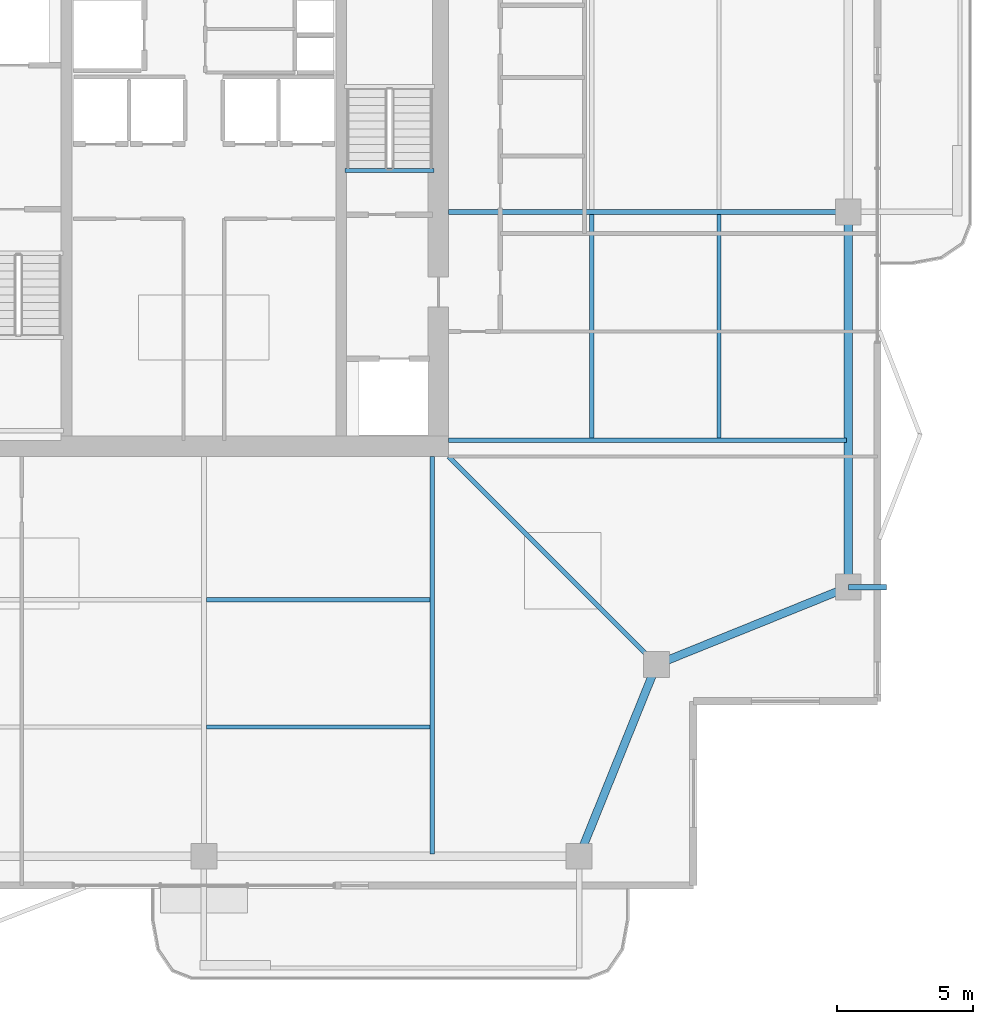
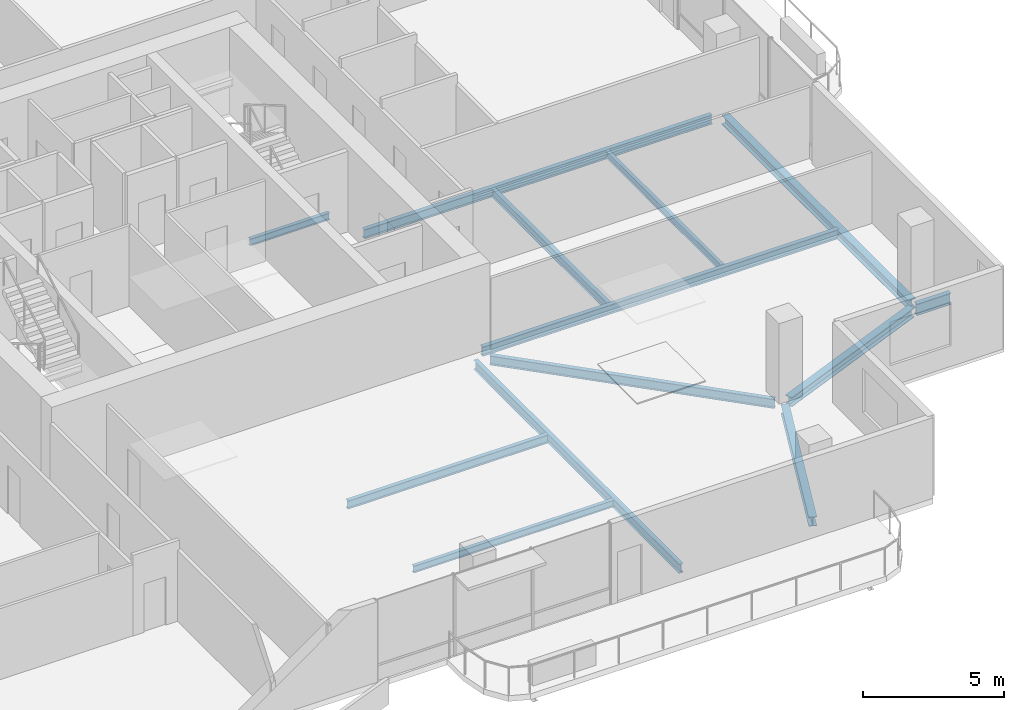
# One storey, part 9 of 25: 13 beams.
"""IFC4 building model written with IfcOpenShell, lengths in metres."""

from ifc_helpers import new_model, si_unit, direction, frame, origin, origin_2d, place, context, subcontext, project, spatial, i_section, extrude, material, material_profile, profile_set, type_object, element, save


model = new_model("IFC4")

# Units and contexts
model_context = context("Model", 3, precision=1e-05, world=origin(), true_north=direction((0.0, 1.0)))
body_context = subcontext(model_context, "Body", "Model", "MODEL_VIEW")
ifc_project = project(units=[si_unit("LENGTHUNIT", "METRE"), si_unit("AREAUNIT", "SQUARE_METRE"), si_unit("VOLUMEUNIT", "CUBIC_METRE"), si_unit("PLANEANGLEUNIT", "RADIAN"), si_unit("MASSUNIT", "GRAM", prefix="KILO")], contexts=[model_context])

# Site, building, storey
site_placement = place(None, origin())
site = spatial("IfcSite", under=ifc_project, at=site_placement, CompositionType="ELEMENT")
building_placement = place(site_placement, origin())
building = spatial("IfcBuilding", under=site, at=building_placement, Name="Belovzor Exchange Tower", CompositionType="ELEMENT")
storey_placement = place(building_placement, frame((0.0, 0.0, 269.10009765625)))
storey = spatial("IfcBuildingStorey", under=building, at=storey_placement, Name="L67", CompositionType="ELEMENT", Elevation=269.10009765625)

# Beams
ifc_material_1 = material(Name="Steel S355", Category="steel")
ifc_material_profile_1 = material_profile(ifc_material_1, i_section(OverallWidth=0.199951171875, OverallDepth=0.5, WebThickness=0.01025390625, FlangeThickness=0.01611328125, at=origin_2d()))
ifc_profile_set_1 = profile_set([ifc_material_profile_1], Name="Steel S355")
beam_type_1 = type_object("IfcBeamType", Name="Planted Balcony Cantilever Beam IPE 500", PredefinedType="BEAM", material=ifc_profile_set_1)
beam_1_placement = place(storey_placement, frame((52.5, 15.0, -0.5), z_axis=(1.0, 0.0, 0.0), x_axis=(0.0, 1.0, 0.0)))
element("IfcBeam", 1, at=beam_1_placement, inside=storey, type_object=beam_type_1, Name="BC-500 Planted Balcony Cantilever Beam IPE 500", PredefinedType="BEAM", context=body_context, shape_type="SweptSolid", body=[
    extrude(i_section(OverallWidth=0.199951171875, OverallDepth=0.5, WebThickness=0.01025390625, FlangeThickness=0.01611328125, at=origin_2d()), origin(), (0.0, 0.0, 1.0), 1.39990234375),
])
ifc_material_2 = material(Name="Steel S355", Category="steel")
ifc_material_profile_2 = material_profile(ifc_material_2, i_section(OverallWidth=0.169921875, OverallDepth=0.360107421875, WebThickness=0.008056640625, FlangeThickness=0.0126953125, at=origin_2d()))
ifc_profile_set_2 = profile_set([ifc_material_profile_2], Name="Steel S355")
beam_type_2 = type_object("IfcBeamType", Name="Secondary Infill Floor Joist IPE 360", PredefinedType="BEAM", material=ifc_profile_set_2)
beam_2_placement = place(storey_placement, frame((28.889892578125, 14.534912109375, -0.43017578125), z_axis=(1.0, 0.0, 0.0), x_axis=(0.0, 1.0, 0.0)))
element("IfcBeam", 2, at=beam_2_placement, inside=storey, type_object=beam_type_2, Name="FJ-360 Secondary Infill Floor Joist IPE 360", PredefinedType="BEAM", context=body_context, shape_type="SweptSolid", body=[
    extrude(i_section(OverallWidth=0.169921875, OverallDepth=0.360107421875, WebThickness=0.008056640625, FlangeThickness=0.0126953125, at=origin_2d()), origin(), (0.0, 0.0, 1.0), 8.22021484375),
])
beam_3_placement = place(storey_placement, frame((43.06494140625, 20.489990234375, -0.43017578125), z_axis=(0.0, 1.0, 0.0), x_axis=(-1.0, 0.0, 0.0)))
element("IfcBeam", 3, at=beam_3_placement, inside=storey, type_object=beam_type_2, Name="FJ-360 Secondary Infill Floor Joist IPE 360", PredefinedType="BEAM", context=body_context, shape_type="SweptSolid", body=[
    extrude(i_section(OverallWidth=0.169921875, OverallDepth=0.360107421875, WebThickness=0.008056640625, FlangeThickness=0.0126953125, at=origin_2d()), origin(), (0.0, 0.0, 1.0), 8.219970703125),
])
ifc_material_3 = material(Name="Steel S355", Category="steel")
ifc_material_profile_3 = material_profile(ifc_material_3, i_section(OverallWidth=0.14990234375, OverallDepth=0.300048828125, WebThickness=0.007080078125, FlangeThickness=0.0107421875, at=origin_2d()))
ifc_profile_set_3 = profile_set([ifc_material_profile_3], Name="Steel S355")
beam_type_3 = type_object("IfcBeamType", Name="Secondary Trim Floor Joist IPE 300", PredefinedType="BEAM", material=ifc_profile_set_3)
beam_4_placement = place(storey_placement, frame((37.260009765625, 30.320068359375, -0.400146484375), z_axis=(-1.0, 0.0, 0.0), x_axis=(0.0, -1.0, 0.0)))
element("IfcBeam", 4, at=beam_4_placement, inside=storey, type_object=beam_type_3, Name="FJ-300 Secondary Trim Floor Joist IPE 300", PredefinedType="BEAM", context=body_context, shape_type="SweptSolid", body=[
    extrude(i_section(OverallWidth=0.14990234375, OverallDepth=0.300048828125, WebThickness=0.007080078125, FlangeThickness=0.0107421875, at=origin_2d()), origin(), (0.0, 0.0, 1.0), 3.27001953125),
])
beam_5_placement = place(storey_placement, frame((28.889892578125, 9.85498046875, -0.400146484375), z_axis=(1.0, 0.0, 0.0), x_axis=(0.0, 1.0, 0.0)))
element("IfcBeam", 5, at=beam_5_placement, inside=storey, type_object=beam_type_3, Name="FJ-300 Secondary Trim Floor Joist IPE 300", PredefinedType="BEAM", context=body_context, shape_type="SweptSolid", body=[
    extrude(i_section(OverallWidth=0.14990234375, OverallDepth=0.300048828125, WebThickness=0.007080078125, FlangeThickness=0.0107421875, at=origin_2d()), origin(), (0.0, 0.0, 1.0), 8.22021484375),
])
beam_6_placement = place(storey_placement, frame((47.7451171875, 20.489990234375, -0.400146484375), z_axis=(0.0, 1.0, 0.0), x_axis=(-1.0, 0.0, 0.0)))
element("IfcBeam", 6, at=beam_6_placement, inside=storey, type_object=beam_type_3, Name="FJ-300 Secondary Trim Floor Joist IPE 300", PredefinedType="BEAM", context=body_context, shape_type="SweptSolid", body=[
    extrude(i_section(OverallWidth=0.14990234375, OverallDepth=0.300048828125, WebThickness=0.007080078125, FlangeThickness=0.0107421875, at=origin_2d()), origin(), (0.0, 0.0, 1.0), 8.219970703125),
])
ifc_material_4 = material(Name="Steel S355", Category="steel")
ifc_material_profile_4 = material_profile(ifc_material_4, i_section(OverallWidth=0.300048828125, OverallDepth=0.39990234375, WebThickness=0.013427734375, FlangeThickness=0.02392578125, at=origin_2d()))
ifc_profile_set_4 = profile_set([ifc_material_profile_4], Name="Steel S355")
beam_type_4 = type_object("IfcBeamType", Name="Zone 5 Primary Girder HEB 400", PredefinedType="BEAM", material=ifc_profile_set_4)
beam_7_placement = place(storey_placement, frame((42.697998046875, 5.342041015625, -0.4501953125), z_axis=(0.374758283536, 0.927122553345, 0.0), x_axis=(-0.927122553345, 0.374758283536, 0.0)))
element("IfcBeam", 7, at=beam_7_placement, inside=storey, type_object=beam_type_4, Name="FG-Z5 Zone 5 Primary Girder HEB 400", PredefinedType="BEAM", context=body_context, shape_type="SweptSolid", body=[
    extrude(i_section(OverallWidth=0.300048828125, OverallDepth=0.39990234375, WebThickness=0.013427734375, FlangeThickness=0.02392578125, at=origin_2d()), origin(), (0.0, 0.0, 1.0), 7.08203125),
])
beam_8_placement = place(storey_placement, frame((45.69189453125, 12.248046875, -0.4501953125), z_axis=(0.927127394661, 0.374746306278, 0.0), x_axis=(-0.374746306278, 0.927127394661, 0.0)))
element("IfcBeam", 8, at=beam_8_placement, inside=storey, type_object=beam_type_4, Name="FG-Z5 Zone 5 Primary Girder HEB 400", PredefinedType="BEAM", context=body_context, shape_type="SweptSolid", body=[
    extrude(i_section(OverallWidth=0.300048828125, OverallDepth=0.39990234375, WebThickness=0.013427734375, FlangeThickness=0.02392578125, at=origin_2d()), origin(), (0.0, 0.0, 1.0), 7.082275390625),
])
beam_9_placement = place(storey_placement, frame((52.5, 15.260986328125, -0.4501953125), z_axis=(0.0, 1.0, 0.0), x_axis=(-1.0, 0.0, 0.0)))
element("IfcBeam", 9, at=beam_9_placement, inside=storey, type_object=beam_type_4, Name="FG-Z5 Zone 5 Primary Girder HEB 400", PredefinedType="BEAM", context=body_context, shape_type="SweptSolid", body=[
    extrude(i_section(OverallWidth=0.300048828125, OverallDepth=0.39990234375, WebThickness=0.013427734375, FlangeThickness=0.02392578125, at=origin_2d()), origin(), (0.0, 0.0, 1.0), 13.278076171875),
])
ifc_material_5 = material(Name="Steel S355", Category="steel")
ifc_material_profile_5 = material_profile(ifc_material_5, i_section(OverallWidth=0.179931640625, OverallDepth=0.39990234375, WebThickness=0.008544921875, FlangeThickness=0.013427734375, at=origin_2d()))
ifc_profile_set_5 = profile_set([ifc_material_profile_5], Name="Steel S355")
beam_type_5 = type_object("IfcBeamType", Name="Zone 5-6 Radial Composite Floor Beam IPE 400", PredefinedType="BEAM", material=ifc_profile_set_5)
for number, where, z_axis, x_axis, name in (
    (10, (37.199951171875, 19.800048828125, -0.4501953125), (0.0, -1.0, 0.0), (1.0, 0.0, 0.0), "FB-400 Zone 5-6 Radial Composite Floor Beam IPE 400"),
    (11, (37.800048828125, 20.39990234375, -0.4501953125), (1.0, 0.0, 0.0), (0.0, 1.0, 0.0), "FB-400 Zone 5-6 Radial Composite Floor Beam IPE 400"),
):
    element("IfcBeam", number, at=place(storey_placement, frame(where, z_axis=z_axis, x_axis=x_axis)), inside=storey, type_object=beam_type_5, Name=name, PredefinedType="BEAM", context=body_context, shape_type="SweptSolid", body=[
        extrude(i_section(OverallWidth=0.179931640625, OverallDepth=0.39990234375, WebThickness=0.008544921875, FlangeThickness=0.013427734375, at=origin_2d()), origin(), (0.0, 0.0, 1.0), 14.625),
    ])
beam_10_placement = place(storey_placement, frame((37.800048828125, 28.800048828125, -0.4501953125), z_axis=(1.0, 0.0, 0.0), x_axis=(0.0, 1.0, 0.0)))
element("IfcBeam", 12, at=beam_10_placement, inside=storey, type_object=beam_type_5, Name="FB-400 Zone 5-6 Radial Composite Floor Beam IPE 400", PredefinedType="BEAM", context=body_context, shape_type="SweptSolid", body=[
    extrude(i_section(OverallWidth=0.179931640625, OverallDepth=0.39990234375, WebThickness=0.008544921875, FlangeThickness=0.013427734375, at=origin_2d()), origin(), (0.0, 0.0, 1.0), 14.281982421875),
])
beam_11_placement = place(storey_placement, frame((37.800048828125, 19.800048828125, -0.4501953125), z_axis=(0.707141714703, -0.707071845944, 0.0), x_axis=(0.707071845944, 0.707141714703, 0.0)))
element("IfcBeam", 13, at=beam_11_placement, inside=storey, type_object=beam_type_5, Name="FB-400 Zone 5-6 Radial Composite Floor Beam IPE 400", PredefinedType="BEAM", context=body_context, shape_type="SweptSolid", body=[
    extrude(i_section(OverallWidth=0.179931640625, OverallDepth=0.39990234375, WebThickness=0.008544921875, FlangeThickness=0.013427734375, at=origin_2d()), origin(), (0.0, 0.0, 1.0), 10.48291015625),
])

save(model, "model.ifc")
